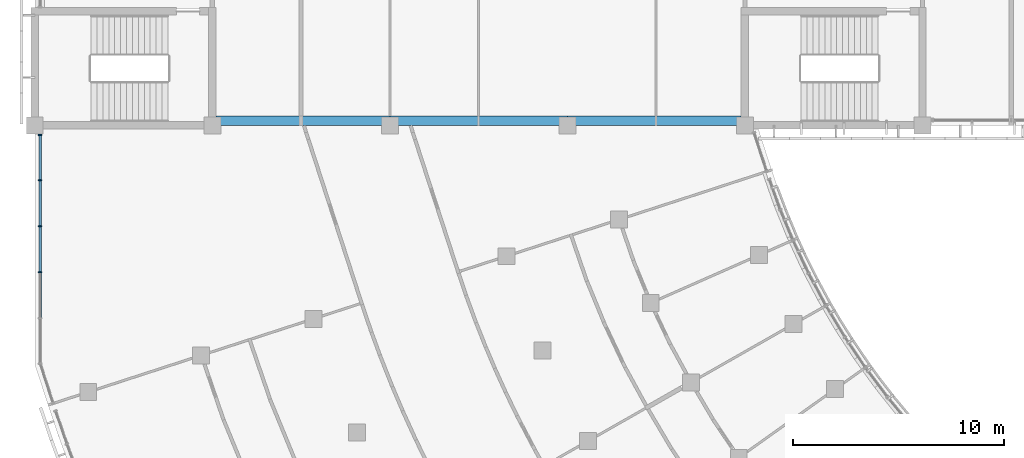
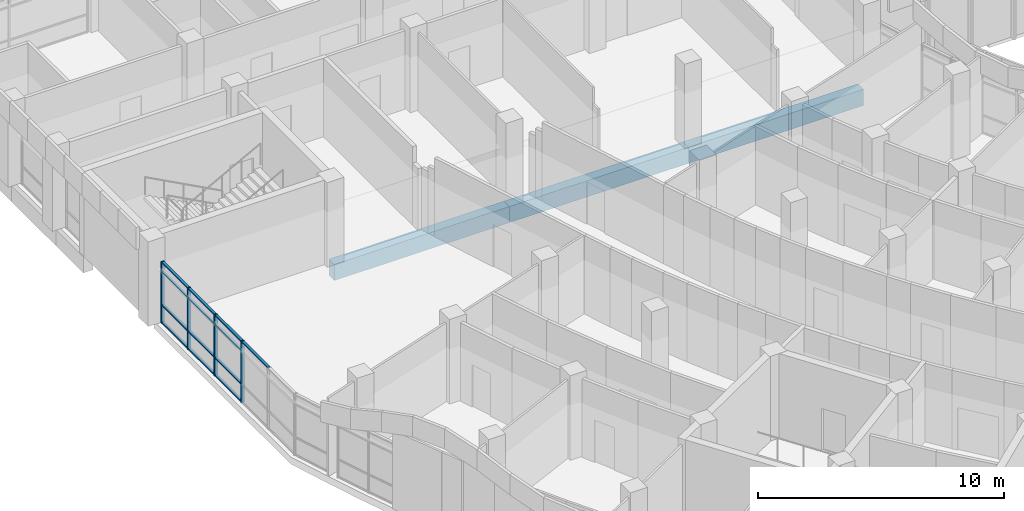
# One storey, part 18 of 137: 17 members, 3 beams, 1 element without a shape of its own.
"""IFC4 building model written with IfcOpenShell, lengths in metres."""

import ifcopenshell
import ifcopenshell.guid

model = None  # the IFC model being written
_history = None  # IfcOwnerHistory: only IFC2X3 demands one
_inside = {}  # id of a spatial element -> (the spatial element, [elements in it])
_under = {}  # id of a project, library or spatial element -> (it, [spatial elements below it])
_declared = {}  # id of a project -> (the project, [libraries it declares])
_typed = {}  # id of a type object -> (the type object, [elements of that type])
_made_of = {}  # id of a material, layer set ... -> (it, [elements and type objects made of it])


def new_model(schema):
    """Start an empty IFC model of exactly this schema.

    Asked for "IFC4X3", IfcOpenShell would pick the latest addendum, in which some entities
    have other attributes; the version numbers below select the first issue.
    IFC2X3 requires an IfcOwnerHistory on every rooted entity: one is made here for all.
    """
    global model, _history
    if schema == "IFC4X3":
        model = ifcopenshell.file(schema_version=(4, 3, 0, 0))
    else:
        model = ifcopenshell.file(schema=schema)
    _inside.clear()
    _under.clear()
    _declared.clear()
    _typed.clear()
    _made_of.clear()
    _history = None
    if model.schema == "IFC2X3":
        org = make("IfcOrganization", Name="unknown")
        user = make(
            "IfcPersonAndOrganization",
            ThePerson=make("IfcPerson", FamilyName="unknown"),
            TheOrganization=org,
        )
        app = make(
            "IfcApplication",
            ApplicationDeveloper=org,
            Version="unknown",
            ApplicationFullName="unknown",
            ApplicationIdentifier="unknown",
        )
        _history = make(
            "IfcOwnerHistory",
            OwningUser=user,
            OwningApplication=app,
            ChangeAction="ADDED",
            CreationDate=0,
        )
    return model


def make(cls, **values):
    """One entity of the class cls with the attributes given. An attribute that is None is left unset."""
    return model.create_entity(
        cls, **{name: value for name, value in values.items() if value is not None}
    )


def rooted(cls, **values):
    """An entity with a GlobalId (a new one), such as an element, a storey or a relation."""
    return make(cls, GlobalId=ifcopenshell.guid.new(), OwnerHistory=_history, **values)


def si_unit(unit_type, name, prefix=None):
    """IfcSIUnit, for example si_unit("LENGTHUNIT", "METRE", prefix="MILLI")."""
    return make("IfcSIUnit", UnitType=unit_type, Prefix=prefix, Name=name)


def assignment(units):
    """IfcUnitAssignment: the units of a project."""
    return None if units is None else make("IfcUnitAssignment", Units=units)


def point(xyz):
    """IfcCartesianPoint."""
    return None if xyz is None else make("IfcCartesianPoint", Coordinates=xyz)


def direction(xyz):
    """IfcDirection."""
    return None if xyz is None else make("IfcDirection", DirectionRatios=xyz)


def frame(location, z_axis=None, x_axis=None):
    """IfcAxis2Placement3D, a coordinate frame: its origin and axes. An axis left out is left unset."""
    return make(
        "IfcAxis2Placement3D",
        Location=point(location),
        Axis=direction(z_axis),
        RefDirection=direction(x_axis),
    )


def frame_2d(location, x_axis=None):
    """IfcAxis2Placement2D, a coordinate frame in the plane: its origin and x axis."""
    return make(
        "IfcAxis2Placement2D", Location=point(location), RefDirection=direction(x_axis)
    )


def origin():
    """The frame at (0, 0, 0) with its axes left unset."""
    return frame((0.0, 0.0, 0.0))


def origin_2d():
    """The frame at (0, 0) in the plane with its x axis left unset."""
    return frame_2d((0.0, 0.0))


def place(relative_to, where):
    """IfcLocalPlacement: puts the frame where relative to a parent placement (None: the world)."""
    return make(
        "IfcLocalPlacement", PlacementRelTo=relative_to, RelativePlacement=where
    )


def context(
    kind, dimensions, precision=None, world=None, true_north=None, identifier=None
):
    """IfcGeometricRepresentationContext, for example the 3D "Model" context."""
    return make(
        "IfcGeometricRepresentationContext",
        ContextIdentifier=identifier,
        ContextType=kind,
        CoordinateSpaceDimension=dimensions,
        Precision=precision,
        WorldCoordinateSystem=world,
        TrueNorth=true_north,
    )


def subcontext(parent, identifier, kind, view, scale=None):
    """IfcGeometricRepresentationSubContext, for example "Body" below "Model"."""
    return make(
        "IfcGeometricRepresentationSubContext",
        ContextIdentifier=identifier,
        ContextType=kind,
        ParentContext=parent,
        TargetScale=scale,
        TargetView=view,
    )


def project(units=None, contexts=None):
    """IfcProject with its units and contexts."""
    return rooted(
        "IfcProject",
        Name="project",
        RepresentationContexts=contexts,
        UnitsInContext=assignment(units),
    )


def spatial(cls, under=None, at=None, **own):
    """A site, building, storey or space (cls), placed at a placement, below another one or the project."""
    s = rooted(cls, ObjectPlacement=at, **own)
    if under is not None:
        _under.setdefault(under.id(), (under, []))[1].append(s)
    return s


def profile(cls, at=None, kind="AREA", **sizes):
    """A parametric profile (cls). Its sizes go by their IFC names, for example OverallWidth=200.0."""
    return make(cls, ProfileType=kind, Position=at, **sizes)


def rectangle(**sizes):
    """IfcRectangleProfileDef."""
    return profile("IfcRectangleProfileDef", **sizes)


def extrude(swept, where, along, depth):
    """IfcExtrudedAreaSolid: the profile swept, set in the frame where, extruded along a direction by depth."""
    return make(
        "IfcExtrudedAreaSolid",
        SweptArea=swept,
        Position=where,
        ExtrudedDirection=direction(along),
        Depth=depth,
    )


def shape(context_of_items, identifier, shape_type, items):
    """IfcShapeRepresentation: the items that make up one representation, for example the "Body"."""
    return make(
        "IfcShapeRepresentation",
        ContextOfItems=context_of_items,
        RepresentationIdentifier=identifier,
        RepresentationType=shape_type,
        Items=items,
    )


def material(Name=None, Category=None):
    """IfcMaterial."""
    return make("IfcMaterial", Name=Name, Category=Category)


def material_profile(
    of_material, cross_section, Name=None, Category=None, Priority=None
):
    """IfcMaterialProfile: a cross section and its material."""
    return make(
        "IfcMaterialProfile",
        Name=Name,
        Material=of_material,
        Profile=cross_section,
        Priority=Priority,
        Category=Category,
    )


def profile_set(profiles, Name=None, composite=None):
    """IfcMaterialProfileSet."""
    return make(
        "IfcMaterialProfileSet",
        Name=Name,
        MaterialProfiles=profiles,
        CompositeProfile=composite,
    )


def made_of(thing, what):
    """Note that an element or type object is made of a material, layer set ...; save() writes the relation."""
    if what is not None:
        _made_of.setdefault(what.id(), (what, []))[1].append(thing)
    return thing


def type_object(cls, material=None, **own):
    """A type object (cls), such as IfcWallType, which elements share."""
    return made_of(rooted(cls, **own), material)


def element(
    cls,
    number,
    at=None,
    inside=None,
    cuts=None,
    type_object=None,
    material=None,
    context=None,
    identifier="Body",
    shape_type=None,
    held_by="IfcProductDefinitionShape",
    body=None,
    shapes=None,
    **own,
):
    """One element of the class cls, such as IfcWall. Its Tag is "e" and its number.

    at: its placement. inside: the storey or other place that contains it. cuts: it is an
    opening in that element (IfcRelVoidsElement). A single representation is given by context,
    identifier, shape_type and body (its items); several are given by shapes. held_by: the class
    of the entity that holds the representations. save() writes the other relations.
    """
    e = rooted(cls, Tag="e%d" % number, ObjectPlacement=at, **own)
    if body is not None:
        shapes = [shape(context, identifier, shape_type, body)]
    if shapes is not None:
        e.Representation = make(held_by, Representations=shapes)
    if inside is not None:
        _inside.setdefault(inside.id(), (inside, []))[1].append(e)
    if cuts is not None:
        rooted(
            "IfcRelVoidsElement", RelatingBuildingElement=cuts, RelatedOpeningElement=e
        )
    if type_object is not None:
        _typed.setdefault(type_object.id(), (type_object, []))[1].append(e)
    return made_of(e, material)


def aggregate(whole, parts):
    """IfcRelAggregates: a whole, such as a stair, and the parts it consists of."""
    return rooted("IfcRelAggregates", RelatingObject=whole, RelatedObjects=parts)


def save(model, path):
    """Write the relations noted so far, then the file.

    IfcRelAggregates (storeys below a building ...), IfcRelContainedInSpatialStructure (elements
    in a storey), IfcRelDefinesByType, IfcRelAssociatesMaterial and IfcRelDeclares: one each for
    every whole, place, type object, material and project.
    """
    for whole, parts in _under.values():
        aggregate(whole, parts)
    for where, things in _inside.values():
        rooted(
            "IfcRelContainedInSpatialStructure",
            RelatedElements=things,
            RelatingStructure=where,
        )
    for kind, things in _typed.values():
        rooted("IfcRelDefinesByType", RelatedObjects=things, RelatingType=kind)
    for what, things in _made_of.values():
        rooted("IfcRelAssociatesMaterial", RelatedObjects=things, RelatingMaterial=what)
    for by, libraries in _declared.values():
        rooted("IfcRelDeclares", RelatingContext=by, RelatedDefinitions=libraries)
    model.write(path)


model = new_model("IFC4")

# Units and contexts
model_context = context("Model", 3, precision=1e-05, world=origin(), true_north=direction((0.0, 1.0)))
body_context = subcontext(model_context, "Body", "Model", "MODEL_VIEW")
ifc_project = project(units=[si_unit("LENGTHUNIT", "METRE"), si_unit("AREAUNIT", "SQUARE_METRE"), si_unit("VOLUMEUNIT", "CUBIC_METRE"), si_unit("PLANEANGLEUNIT", "RADIAN"), si_unit("MASSUNIT", "GRAM", prefix="KILO")], contexts=[model_context])

# Site, building, storey
site_placement = place(None, origin())
site = spatial("IfcSite", under=ifc_project, at=site_placement, CompositionType="ELEMENT")
building_placement = place(site_placement, origin())
building = spatial("IfcBuilding", under=site, at=building_placement, Name="Bougainvillea Quay General Hospital", CompositionType="ELEMENT")
storey_placement = place(building_placement, frame((0.0, 0.0, 16.800048828125)))
storey = spatial("IfcBuildingStorey", under=building, at=storey_placement, Name="L03", CompositionType="ELEMENT", Elevation=16.800048828125)

# Curtain wall, members
ifc_material_1 = material(Name="Aluminium curtain wall system, powder-coated glazed", Category="aluminium")
curtain_wall_type = type_object("IfcCurtainWallType", Name="Unitised curtain wall CW-2177", PredefinedType="NOTDEFINED", material=ifc_material_1)
curtain_wall_placement = place(storey_placement, origin())
curtain_wall = element("IfcCurtainWall", 1, at=curtain_wall_placement, inside=storey, type_object=curtain_wall_type, Name="CW-AE 00", PredefinedType="NOTDEFINED")
ifc_material_2 = material(Name="Aluminium mullion, powder-coated charcoal", Category="aluminium")
ifc_material_profile_1 = material_profile(ifc_material_2, rectangle(XDim=0.159912109375, YDim=0.06005859375, at=origin_2d()))
ifc_profile_set_1 = profile_set([ifc_material_profile_1], Name="Aluminium mullion, powder-coated charcoal")
member_type_1 = type_object("IfcMemberType", Name="Curtain wall mullion 160x60", PredefinedType="MULLION", material=ifc_profile_set_1)
member_1_placement = place(storey_placement, frame((42.25, 117.14990234375, 0.0), z_axis=(0.0, 0.0, 1.0), x_axis=(1.0, 0.0, 0.0)))
member_1 = element("IfcMember", 2, at=member_1_placement, type_object=member_type_1, Name="CW-AE mullion 1", PredefinedType="MULLION", context=body_context, shape_type="SweptSolid", body=[
    extrude(rectangle(XDim=0.159912109375, YDim=0.06005859375, at=origin_2d()), origin(), (0.0, 0.0, 1.0), 3.050048828125),
])
member_2_placement = place(storey_placement, frame((42.25, 115.003173828125, 0.0), z_axis=(0.0, 0.0, 1.0), x_axis=(1.0, 0.0, 0.0)))
member_2 = element("IfcMember", 3, at=member_2_placement, type_object=member_type_1, Name="CW-AE mullion 2", PredefinedType="MULLION", context=body_context, shape_type="SweptSolid", body=[
    extrude(rectangle(XDim=0.159912109375, YDim=0.06005859375, at=origin_2d()), origin(), (0.0, 0.0, 1.0), 3.050048828125),
])
member_3_placement = place(storey_placement, frame((42.25, 112.826416015625, 0.0), z_axis=(0.0, 0.0, 1.0), x_axis=(1.0, 0.0, 0.0)))
member_3 = element("IfcMember", 4, at=member_3_placement, type_object=member_type_1, Name="CW-AE mullion 3", PredefinedType="MULLION", context=body_context, shape_type="SweptSolid", body=[
    extrude(rectangle(XDim=0.159912109375, YDim=0.06005859375, at=origin_2d()), origin(), (0.0, 0.0, 1.0), 3.050048828125),
])
member_4_placement = place(storey_placement, frame((42.25, 110.649658203125, 0.0), z_axis=(0.0, 0.0, 1.0), x_axis=(1.0, 0.0, 0.0)))
member_4 = element("IfcMember", 5, at=member_4_placement, type_object=member_type_1, Name="CW-AE mullion 4", PredefinedType="MULLION", context=body_context, shape_type="SweptSolid", body=[
    extrude(rectangle(XDim=0.159912109375, YDim=0.06005859375, at=origin_2d()), origin(), (0.0, 0.0, 1.0), 3.050048828125),
])
ifc_material_3 = material(Name="Aluminium transom, powder-coated charcoal", Category="aluminium")
ifc_material_profile_2 = material_profile(ifc_material_3, rectangle(XDim=0.1201171875, YDim=0.06005859375, at=origin_2d()))
ifc_profile_set_2 = profile_set([ifc_material_profile_2], Name="Aluminium transom, powder-coated charcoal")
member_type_2 = type_object("IfcMemberType", Name="Curtain wall transom 120x60", PredefinedType="USERDEFINED", material=ifc_profile_set_2)
member_5_placement = place(storey_placement, frame((42.25, 117.1201171875, 0.030029296875), z_axis=(0.0, -1.0, 0.0), x_axis=(1.0, 0.0, 0.0)))
member_5 = element("IfcMember", 6, at=member_5_placement, type_object=member_type_2, Name="CW-AE transom 1.1", ObjectType="TRANSOM", PredefinedType="USERDEFINED", context=body_context, shape_type="SweptSolid", body=[
    extrude(rectangle(XDim=0.1201171875, YDim=0.06005859375, at=origin_2d()), origin(), (0.0, 0.0, 1.0), 2.0869140625),
])
member_6_placement = place(storey_placement, frame((42.25, 117.1201171875, 0.89990234375), z_axis=(0.0, -1.0, 0.0), x_axis=(1.0, 0.0, 0.0)))
member_6 = element("IfcMember", 7, at=member_6_placement, type_object=member_type_2, Name="CW-AE transom 1.2", ObjectType="TRANSOM", PredefinedType="USERDEFINED", context=body_context, shape_type="SweptSolid", body=[
    extrude(rectangle(XDim=0.1201171875, YDim=0.06005859375, at=origin_2d()), origin(), (0.0, 0.0, 1.0), 2.0869140625),
])
member_7_placement = place(storey_placement, frame((42.25, 117.1201171875, 2.550048828125), z_axis=(0.0, -1.0, 0.0), x_axis=(1.0, 0.0, 0.0)))
member_7 = element("IfcMember", 8, at=member_7_placement, type_object=member_type_2, Name="CW-AE transom 1.3", ObjectType="TRANSOM", PredefinedType="USERDEFINED", context=body_context, shape_type="SweptSolid", body=[
    extrude(rectangle(XDim=0.1201171875, YDim=0.06005859375, at=origin_2d()), origin(), (0.0, 0.0, 1.0), 2.0869140625),
])
member_8_placement = place(storey_placement, frame((42.25, 117.1201171875, 3.02001953125), z_axis=(0.0, -1.0, 0.0), x_axis=(1.0, 0.0, 0.0)))
member_8 = element("IfcMember", 9, at=member_8_placement, type_object=member_type_2, Name="CW-AE transom 1.4", ObjectType="TRANSOM", PredefinedType="USERDEFINED", context=body_context, shape_type="SweptSolid", body=[
    extrude(rectangle(XDim=0.1201171875, YDim=0.06005859375, at=origin_2d()), origin(), (0.0, 0.0, 1.0), 2.0869140625),
])
member_9_placement = place(storey_placement, frame((42.25, 114.97314453125, 0.030029296875), z_axis=(0.0, -1.0, 0.0), x_axis=(1.0, 0.0, 0.0)))
member_9 = element("IfcMember", 10, at=member_9_placement, type_object=member_type_2, Name="CW-AE transom 2.1", ObjectType="TRANSOM", PredefinedType="USERDEFINED", context=body_context, shape_type="SweptSolid", body=[
    extrude(rectangle(XDim=0.1201171875, YDim=0.06005859375, at=origin_2d()), origin(), (0.0, 0.0, 1.0), 2.11669921875),
])
member_10_placement = place(storey_placement, frame((42.25, 114.97314453125, 0.89990234375), z_axis=(0.0, -1.0, 0.0), x_axis=(1.0, 0.0, 0.0)))
member_10 = element("IfcMember", 11, at=member_10_placement, type_object=member_type_2, Name="CW-AE transom 2.2", ObjectType="TRANSOM", PredefinedType="USERDEFINED", context=body_context, shape_type="SweptSolid", body=[
    extrude(rectangle(XDim=0.1201171875, YDim=0.06005859375, at=origin_2d()), origin(), (0.0, 0.0, 1.0), 2.11669921875),
])
member_11_placement = place(storey_placement, frame((42.25, 114.97314453125, 2.550048828125), z_axis=(0.0, -1.0, 0.0), x_axis=(1.0, 0.0, 0.0)))
member_11 = element("IfcMember", 12, at=member_11_placement, type_object=member_type_2, Name="CW-AE transom 2.3", ObjectType="TRANSOM", PredefinedType="USERDEFINED", context=body_context, shape_type="SweptSolid", body=[
    extrude(rectangle(XDim=0.1201171875, YDim=0.06005859375, at=origin_2d()), origin(), (0.0, 0.0, 1.0), 2.11669921875),
])
member_12_placement = place(storey_placement, frame((42.25, 114.97314453125, 3.02001953125), z_axis=(0.0, -1.0, 0.0), x_axis=(1.0, 0.0, 0.0)))
member_12 = element("IfcMember", 13, at=member_12_placement, type_object=member_type_2, Name="CW-AE transom 2.4", ObjectType="TRANSOM", PredefinedType="USERDEFINED", context=body_context, shape_type="SweptSolid", body=[
    extrude(rectangle(XDim=0.1201171875, YDim=0.06005859375, at=origin_2d()), origin(), (0.0, 0.0, 1.0), 2.11669921875),
])
member_13_placement = place(storey_placement, frame((42.25, 112.79638671875, 0.030029296875), z_axis=(0.0, -1.0, 0.0), x_axis=(1.0, 0.0, 0.0)))
member_13 = element("IfcMember", 14, at=member_13_placement, type_object=member_type_2, Name="CW-AE transom 3.1", ObjectType="TRANSOM", PredefinedType="USERDEFINED", context=body_context, shape_type="SweptSolid", body=[
    extrude(rectangle(XDim=0.1201171875, YDim=0.06005859375, at=origin_2d()), origin(), (0.0, 0.0, 1.0), 2.11669921875),
])
member_14_placement = place(storey_placement, frame((42.25, 112.79638671875, 0.89990234375), z_axis=(0.0, -1.0, 0.0), x_axis=(1.0, 0.0, 0.0)))
member_14 = element("IfcMember", 15, at=member_14_placement, type_object=member_type_2, Name="CW-AE transom 3.2", ObjectType="TRANSOM", PredefinedType="USERDEFINED", context=body_context, shape_type="SweptSolid", body=[
    extrude(rectangle(XDim=0.1201171875, YDim=0.06005859375, at=origin_2d()), origin(), (0.0, 0.0, 1.0), 2.11669921875),
])
member_15_placement = place(storey_placement, frame((42.25, 112.79638671875, 2.550048828125), z_axis=(0.0, -1.0, 0.0), x_axis=(1.0, 0.0, 0.0)))
member_15 = element("IfcMember", 16, at=member_15_placement, type_object=member_type_2, Name="CW-AE transom 3.3", ObjectType="TRANSOM", PredefinedType="USERDEFINED", context=body_context, shape_type="SweptSolid", body=[
    extrude(rectangle(XDim=0.1201171875, YDim=0.06005859375, at=origin_2d()), origin(), (0.0, 0.0, 1.0), 2.11669921875),
])
member_16_placement = place(storey_placement, frame((42.25, 112.79638671875, 3.02001953125), z_axis=(0.0, -1.0, 0.0), x_axis=(1.0, 0.0, 0.0)))
member_16 = element("IfcMember", 17, at=member_16_placement, type_object=member_type_2, Name="CW-AE transom 3.4", ObjectType="TRANSOM", PredefinedType="USERDEFINED", context=body_context, shape_type="SweptSolid", body=[
    extrude(rectangle(XDim=0.1201171875, YDim=0.06005859375, at=origin_2d()), origin(), (0.0, 0.0, 1.0), 2.11669921875),
])
member_17_placement = place(storey_placement, frame((42.25, 110.61962890625, 3.02001953125), z_axis=(0.0, -1.0, 0.0), x_axis=(1.0, 0.0, 0.0)))
member_17 = element("IfcMember", 18, at=member_17_placement, type_object=member_type_2, Name="CW-AE transom 4.4", ObjectType="TRANSOM", PredefinedType="USERDEFINED", context=body_context, shape_type="SweptSolid", body=[
    extrude(rectangle(XDim=0.1201171875, YDim=0.06005859375, at=origin_2d()), origin(), (0.0, 0.0, 1.0), 2.116943359375),
])
aggregate(curtain_wall, [member_1, member_2, member_3, member_4, member_5, member_6, member_7, member_8, member_9, member_10, member_11, member_12, member_13, member_14, member_15, member_16, member_17])

# Beams
ifc_material_4 = material(Name="Concrete C40", Category="concrete")
ifc_material_profile_3 = material_profile(ifc_material_4, rectangle(XDim=0.449951171875, YDim=0.800048828125, at=origin_2d()))
ifc_profile_set_3 = profile_set([ifc_material_profile_3], Name="Concrete C40")
beam_type = type_object("IfcBeamType", Name="RC BEAM 450x800 C40", PredefinedType="BEAM", material=ifc_profile_set_3)
beam_1_placement = place(storey_placement, frame((50.574951171875, 117.824951171875, -0.699951171875), z_axis=(1.0, 0.0, 0.0), x_axis=(0.0, 1.0, 0.0)))
element("IfcBeam", 19, at=beam_1_placement, inside=storey, type_object=beam_type, Name="Edge beam L03", PredefinedType="BEAM", context=body_context, shape_type="SweptSolid", body=[
    extrude(rectangle(XDim=0.449951171875, YDim=0.800048828125, at=origin_2d()), origin(), (0.0, 0.0, 1.0), 8.22509765625),
])
beam_2_placement = place(storey_placement, frame((58.800048828125, 117.824951171875, -0.699951171875), z_axis=(1.0, 0.0, 0.0), x_axis=(0.0, 1.0, 0.0)))
element("IfcBeam", 20, at=beam_2_placement, inside=storey, type_object=beam_type, Name="Edge beam L03", PredefinedType="BEAM", context=body_context, shape_type="SweptSolid", body=[
    extrude(rectangle(XDim=0.449951171875, YDim=0.800048828125, at=origin_2d()), origin(), (0.0, 0.0, 1.0), 8.39990234375),
])
beam_3_placement = place(storey_placement, frame((67.199951171875, 117.824951171875, -0.699951171875), z_axis=(1.0, 0.0, 0.0), x_axis=(0.0, 1.0, 0.0)))
element("IfcBeam", 21, at=beam_3_placement, inside=storey, type_object=beam_type, Name="Edge beam L03", PredefinedType="BEAM", context=body_context, shape_type="SweptSolid", body=[
    extrude(rectangle(XDim=0.449951171875, YDim=0.800048828125, at=origin_2d()), origin(), (0.0, 0.0, 1.0), 8.22509765625),
])

save(model, "model.ifc")
